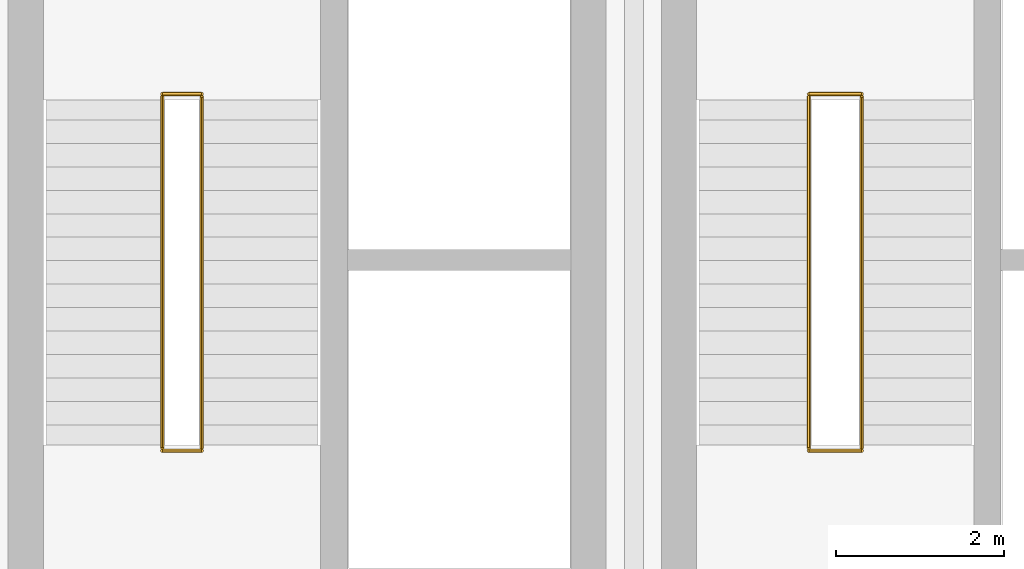
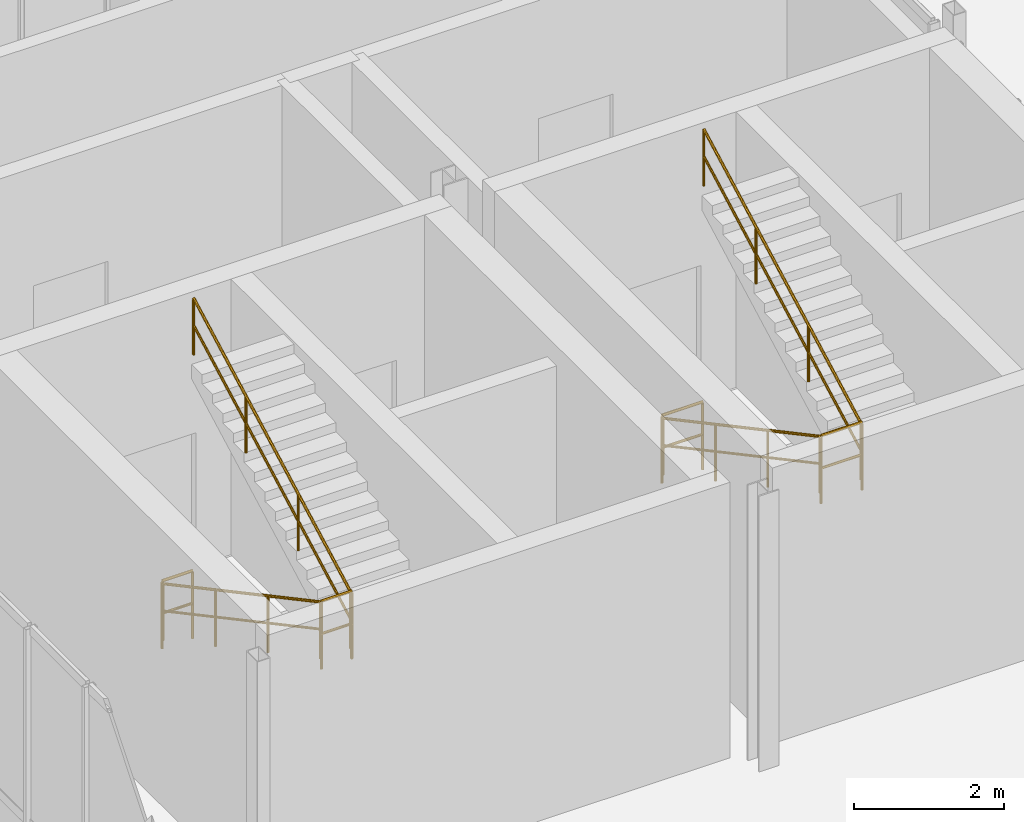
# One storey, part 67 of 68: 8 railings.
"""IFC4 building model written with IfcOpenShell, lengths in metres."""

from ifc_helpers import new_model, si_unit, direction, frame, origin_with_axes, origin_2d_with_axis, place, context, subcontext, project, spatial, circle, extrude, material, type_object, element, save


model = new_model("IFC4")

# Units and contexts
model_context = context("Model", 3, precision=1e-05, world=origin_with_axes(), true_north=direction((0.0, 1.0)))
body_context = subcontext(model_context, "Body", "Model", "MODEL_VIEW")
ifc_project = project(units=[si_unit("LENGTHUNIT", "METRE"), si_unit("AREAUNIT", "SQUARE_METRE"), si_unit("VOLUMEUNIT", "CUBIC_METRE"), si_unit("PLANEANGLEUNIT", "RADIAN"), si_unit("MASSUNIT", "GRAM", prefix="KILO"), si_unit("THERMODYNAMICTEMPERATUREUNIT", "KELVIN")], contexts=[model_context])

# Site, building, storey
site_placement = place(None, origin_with_axes())
site = spatial("IfcSite", under=ifc_project, at=site_placement, CompositionType="ELEMENT")
building_placement = place(site_placement, origin_with_axes())
building = spatial("IfcBuilding", under=site, at=building_placement, Name="Montbau Bow Law Courts", CompositionType="ELEMENT")
storey_placement = place(building_placement, frame((0.0, 0.0, 20.4), z_axis=(0.0, 0.0, 1.0), x_axis=(1.0, 0.0, 0.0)))
storey = spatial("IfcBuildingStorey", under=building, at=storey_placement, Name="L04", CompositionType="ELEMENT", Elevation=20.4)

# Railings
ifc_material_1 = material(Name="Architectural Bronze-Finished Steel Stair Guard", Category="steel")
railing_type_1 = type_object("IfcRailingType", Name="RL-GRD-1100", PredefinedType="GUARDRAIL", material=ifc_material_1)
railing_1_placement = place(None, origin_with_axes())
element("IfcRailing", 1, at=railing_1_placement, inside=storey, type_object=railing_type_1, Name="SG-ST-P2-L04-ML:rlg_0180", PredefinedType="GUARDRAIL", context=body_context, shape_type="SweptSolid", body=[
    extrude(circle(Radius=0.0225, at=origin_2d_with_axis()), frame((149.17, 88.47, 23.752), z_axis=(1.0, 0.0, 0.0), x_axis=(0.0, 0.0, 1.0)), (0.0, 0.0, 1.0), 0.47),
    extrude(circle(Radius=0.02025, at=origin_2d_with_axis()), frame((149.17, 88.47, 23.222), z_axis=(1.0, 0.0, 0.0), x_axis=(0.0, 0.0, 1.0)), (0.0, 0.0, 1.0), 0.47),
    extrude(circle(Radius=0.02025, at=origin_2d_with_axis()), frame((149.17, 88.47, 22.65), z_axis=(0.0, 0.0, 1.0), x_axis=(1.0, 0.0, 0.0)), (0.0, 0.0, 1.0), 1.07525),
    extrude(circle(Radius=0.02025, at=origin_2d_with_axis()), frame((149.64, 88.47, 22.65), z_axis=(0.0, 0.0, 1.0), x_axis=(1.0, 0.0, 0.0)), (0.0, 0.0, 1.0), 1.07525),
])
railing_2_placement = place(None, origin_with_axes())
element("IfcRailing", 2, at=railing_2_placement, inside=storey, type_object=railing_type_1, Name="SG-ST-P2-L04-BL:rlg_0181", PredefinedType="GUARDRAIL", context=body_context, shape_type="SweptSolid", body=[
    extrude(circle(Radius=0.0225, at=origin_2d_with_axis()), frame((149.17, 92.73, 21.502), z_axis=(1.0, 0.0, 0.0), x_axis=(0.0, 0.0, 1.0)), (0.0, 0.0, 1.0), 0.47),
    extrude(circle(Radius=0.02025, at=origin_2d_with_axis()), frame((149.17, 92.73, 20.972), z_axis=(1.0, 0.0, 0.0), x_axis=(0.0, 0.0, 1.0)), (0.0, 0.0, 1.0), 0.47),
    extrude(circle(Radius=0.02025, at=origin_2d_with_axis()), frame((149.17, 92.73, 20.4), z_axis=(0.0, 0.0, 1.0), x_axis=(1.0, 0.0, 0.0)), (0.0, 0.0, 1.0), 1.07525),
    extrude(circle(Radius=0.02025, at=origin_2d_with_axis()), frame((149.64, 92.73, 20.4), z_axis=(0.0, 0.0, 1.0), x_axis=(1.0, 0.0, 0.0)), (0.0, 0.0, 1.0), 1.07525),
])
railing_3_placement = place(None, origin_with_axes())
element("IfcRailing", 3, at=railing_3_placement, inside=storey, type_object=railing_type_1, Name="SG-ST-J2-L04-ML:rlg_0223", PredefinedType="GUARDRAIL", context=body_context, shape_type="SweptSolid", body=[
    extrude(circle(Radius=0.0225, at=origin_2d_with_axis()), frame((156.89, 88.47, 23.752), z_axis=(1.0, 0.0, 0.0), x_axis=(0.0, 0.0, 1.0)), (0.0, 0.0, 1.0), 0.63),
    extrude(circle(Radius=0.02025, at=origin_2d_with_axis()), frame((156.89, 88.47, 23.222), z_axis=(1.0, 0.0, 0.0), x_axis=(0.0, 0.0, 1.0)), (0.0, 0.0, 1.0), 0.63),
    extrude(circle(Radius=0.02025, at=origin_2d_with_axis()), frame((156.89, 88.47, 22.65), z_axis=(0.0, 0.0, 1.0), x_axis=(1.0, 0.0, 0.0)), (0.0, 0.0, 1.0), 1.07525),
    extrude(circle(Radius=0.02025, at=origin_2d_with_axis()), frame((157.52, 88.47, 22.65), z_axis=(0.0, 0.0, 1.0), x_axis=(1.0, 0.0, 0.0)), (0.0, 0.0, 1.0), 1.07525),
])
railing_4_placement = place(None, origin_with_axes())
element("IfcRailing", 4, at=railing_4_placement, inside=storey, type_object=railing_type_1, Name="SG-ST-J2-L04-BL:rlg_0224", PredefinedType="GUARDRAIL", context=body_context, shape_type="SweptSolid", body=[
    extrude(circle(Radius=0.0225, at=origin_2d_with_axis()), frame((156.89, 92.73, 21.502), z_axis=(1.0, 0.0, 0.0), x_axis=(0.0, 0.0, 1.0)), (0.0, 0.0, 1.0), 0.63),
    extrude(circle(Radius=0.02025, at=origin_2d_with_axis()), frame((156.89, 92.73, 20.972), z_axis=(1.0, 0.0, 0.0), x_axis=(0.0, 0.0, 1.0)), (0.0, 0.0, 1.0), 0.63),
    extrude(circle(Radius=0.02025, at=origin_2d_with_axis()), frame((156.89, 92.73, 20.4), z_axis=(0.0, 0.0, 1.0), x_axis=(1.0, 0.0, 0.0)), (0.0, 0.0, 1.0), 1.07525),
    extrude(circle(Radius=0.02025, at=origin_2d_with_axis()), frame((157.52, 92.73, 20.4), z_axis=(0.0, 0.0, 1.0), x_axis=(1.0, 0.0, 0.0)), (0.0, 0.0, 1.0), 1.07525),
])
ifc_material_2 = material(Name="White-Oak and Stainless Continuous Stair Handrail", Category="steel")
railing_type_2 = type_object("IfcRailingType", Name="RL-HND-0920", PredefinedType="HANDRAIL", material=ifc_material_2)
railing_5_placement = place(None, origin_with_axes())
element("IfcRailing", 5, at=railing_5_placement, inside=storey, type_object=railing_type_2, Name="HR-ST-P2-L04-1:rlg_0182", PredefinedType="HANDRAIL", context=body_context, shape_type="SweptSolid", body=[
    extrude(circle(Radius=0.021, at=origin_2d_with_axis()), frame((149.17, 92.7, 21.472), z_axis=(0.0, -0.88147997, 0.472221413), x_axis=(0.0, 0.472221413, 0.88147997)), (0.0, 0.0, 1.0), 4.764714),
    extrude(circle(Radius=0.0189, at=origin_2d_with_axis()), frame((149.17, 92.7, 21.0284), z_axis=(0.0, -0.88147997, 0.472221413), x_axis=(0.0, 0.472221413, 0.88147997)), (0.0, 0.0, 1.0), 4.764714),
    extrude(circle(Radius=0.0189, at=origin_2d_with_axis()), frame((149.17, 92.7, 20.55), z_axis=(0.0, 0.0, 1.0), x_axis=(1.0, 0.0, 0.0)), (0.0, 0.0, 1.0), 0.8969),
    extrude(circle(Radius=0.0189, at=origin_2d_with_axis()), frame((149.17, 91.3, 21.3), z_axis=(0.0, 0.0, 1.0), x_axis=(1.0, 0.0, 0.0)), (0.0, 0.0, 1.0), 0.8969),
    extrude(circle(Radius=0.0189, at=origin_2d_with_axis()), frame((149.17, 89.9, 22.05), z_axis=(0.0, 0.0, 1.0), x_axis=(1.0, 0.0, 0.0)), (0.0, 0.0, 1.0), 0.8969),
    extrude(circle(Radius=0.0189, at=origin_2d_with_axis()), frame((149.17, 88.5, 22.8), z_axis=(0.0, 0.0, 1.0), x_axis=(1.0, 0.0, 0.0)), (0.0, 0.0, 1.0), 0.8969),
])
railing_6_placement = place(None, origin_with_axes())
element("IfcRailing", 6, at=railing_6_placement, inside=storey, type_object=railing_type_2, Name="HR-ST-P2-L04-2:rlg_0183", PredefinedType="HANDRAIL", context=body_context, shape_type="SweptSolid", body=[
    extrude(circle(Radius=0.021, at=origin_2d_with_axis()), frame((149.64, 88.5, 23.722), z_axis=(0.0, 0.88147997, 0.472221413), x_axis=(0.0, -0.472221413, 0.88147997)), (0.0, 0.0, 1.0), 4.764714),
    extrude(circle(Radius=0.0189, at=origin_2d_with_axis()), frame((149.64, 88.5, 23.2784), z_axis=(0.0, 0.88147997, 0.472221413), x_axis=(0.0, -0.472221413, 0.88147997)), (0.0, 0.0, 1.0), 4.764714),
    extrude(circle(Radius=0.0189, at=origin_2d_with_axis()), frame((149.64, 88.5, 22.8), z_axis=(0.0, 0.0, 1.0), x_axis=(1.0, 0.0, 0.0)), (0.0, 0.0, 1.0), 0.8969),
    extrude(circle(Radius=0.0189, at=origin_2d_with_axis()), frame((149.64, 89.9, 23.55), z_axis=(0.0, 0.0, 1.0), x_axis=(1.0, 0.0, 0.0)), (0.0, 0.0, 1.0), 0.8969),
    extrude(circle(Radius=0.0189, at=origin_2d_with_axis()), frame((149.64, 91.3, 24.3), z_axis=(0.0, 0.0, 1.0), x_axis=(1.0, 0.0, 0.0)), (0.0, 0.0, 1.0), 0.8969),
    extrude(circle(Radius=0.0189, at=origin_2d_with_axis()), frame((149.64, 92.7, 25.05), z_axis=(0.0, 0.0, 1.0), x_axis=(1.0, 0.0, 0.0)), (0.0, 0.0, 1.0), 0.8969),
])
railing_7_placement = place(None, origin_with_axes())
element("IfcRailing", 7, at=railing_7_placement, inside=storey, type_object=railing_type_2, Name="HR-ST-J2-L04-1:rlg_0225", PredefinedType="HANDRAIL", context=body_context, shape_type="SweptSolid", body=[
    extrude(circle(Radius=0.021, at=origin_2d_with_axis()), frame((156.89, 92.7, 21.472), z_axis=(0.0, -0.88147997, 0.472221413), x_axis=(0.0, 0.472221413, 0.88147997)), (0.0, 0.0, 1.0), 4.764714),
    extrude(circle(Radius=0.0189, at=origin_2d_with_axis()), frame((156.89, 92.7, 21.0284), z_axis=(0.0, -0.88147997, 0.472221413), x_axis=(0.0, 0.472221413, 0.88147997)), (0.0, 0.0, 1.0), 4.764714),
    extrude(circle(Radius=0.0189, at=origin_2d_with_axis()), frame((156.89, 92.7, 20.55), z_axis=(0.0, 0.0, 1.0), x_axis=(1.0, 0.0, 0.0)), (0.0, 0.0, 1.0), 0.8969),
    extrude(circle(Radius=0.0189, at=origin_2d_with_axis()), frame((156.89, 91.3, 21.3), z_axis=(0.0, 0.0, 1.0), x_axis=(1.0, 0.0, 0.0)), (0.0, 0.0, 1.0), 0.8969),
    extrude(circle(Radius=0.0189, at=origin_2d_with_axis()), frame((156.89, 89.9, 22.05), z_axis=(0.0, 0.0, 1.0), x_axis=(1.0, 0.0, 0.0)), (0.0, 0.0, 1.0), 0.8969),
    extrude(circle(Radius=0.0189, at=origin_2d_with_axis()), frame((156.89, 88.5, 22.8), z_axis=(0.0, 0.0, 1.0), x_axis=(1.0, 0.0, 0.0)), (0.0, 0.0, 1.0), 0.8969),
])
railing_8_placement = place(None, origin_with_axes())
element("IfcRailing", 8, at=railing_8_placement, inside=storey, type_object=railing_type_2, Name="HR-ST-J2-L04-2:rlg_0226", PredefinedType="HANDRAIL", context=body_context, shape_type="SweptSolid", body=[
    extrude(circle(Radius=0.021, at=origin_2d_with_axis()), frame((157.52, 88.5, 23.722), z_axis=(0.0, 0.88147997, 0.472221413), x_axis=(0.0, -0.472221413, 0.88147997)), (0.0, 0.0, 1.0), 4.764714),
    extrude(circle(Radius=0.0189, at=origin_2d_with_axis()), frame((157.52, 88.5, 23.2784), z_axis=(0.0, 0.88147997, 0.472221413), x_axis=(0.0, -0.472221413, 0.88147997)), (0.0, 0.0, 1.0), 4.764714),
    extrude(circle(Radius=0.0189, at=origin_2d_with_axis()), frame((157.52, 88.5, 22.8), z_axis=(0.0, 0.0, 1.0), x_axis=(1.0, 0.0, 0.0)), (0.0, 0.0, 1.0), 0.8969),
    extrude(circle(Radius=0.0189, at=origin_2d_with_axis()), frame((157.52, 89.9, 23.55), z_axis=(0.0, 0.0, 1.0), x_axis=(1.0, 0.0, 0.0)), (0.0, 0.0, 1.0), 0.8969),
    extrude(circle(Radius=0.0189, at=origin_2d_with_axis()), frame((157.52, 91.3, 24.3), z_axis=(0.0, 0.0, 1.0), x_axis=(1.0, 0.0, 0.0)), (0.0, 0.0, 1.0), 0.8969),
    extrude(circle(Radius=0.0189, at=origin_2d_with_axis()), frame((157.52, 92.7, 25.05), z_axis=(0.0, 0.0, 1.0), x_axis=(1.0, 0.0, 0.0)), (0.0, 0.0, 1.0), 0.8969),
])

save(model, "model.ifc")
